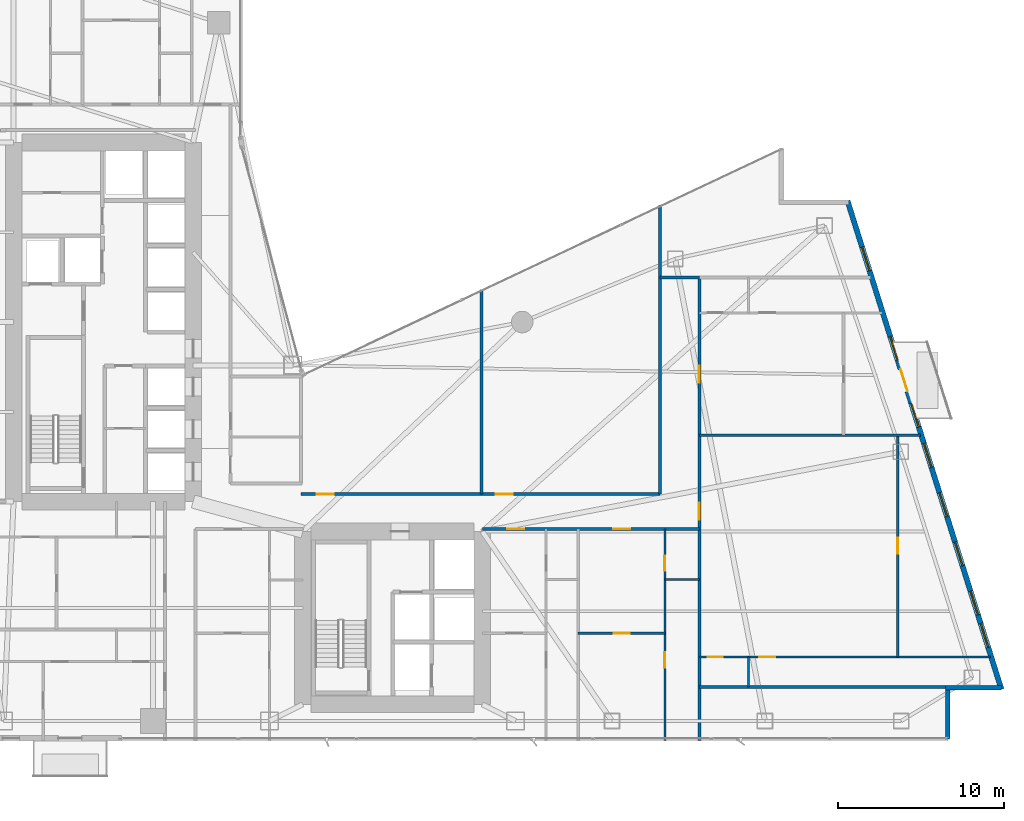
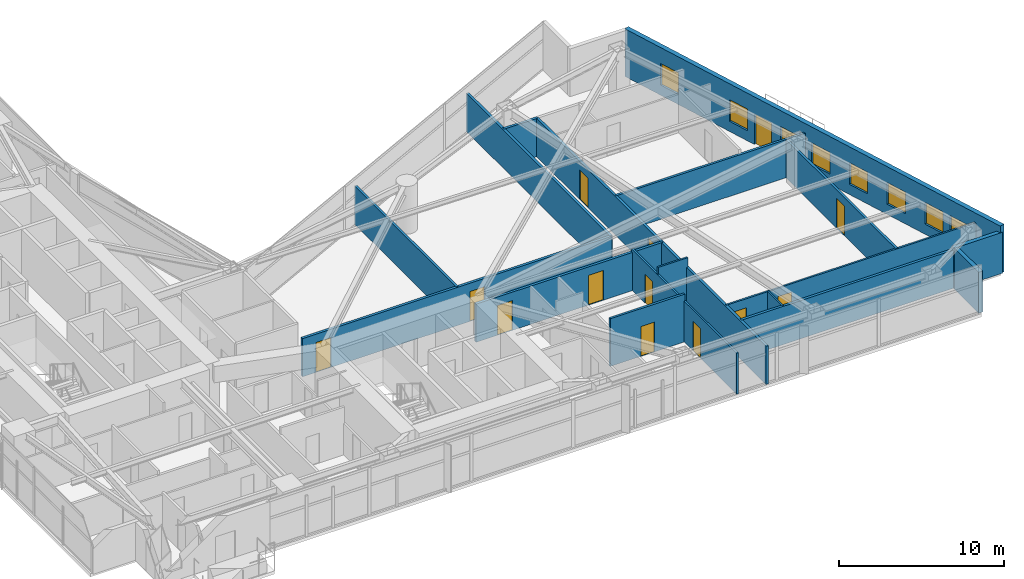
# One storey, part 23 of 28: 17 walls, 13 doors, 8 windows, 21 openings.
"""IFC4 building model written with IfcOpenShell, lengths in metres."""

from ifc_helpers import new_model, si_unit, direction, frame, frame_2d, origin, place, context, subcontext, project, spatial, rectangle, extrude, material, layer, layer_set, type_object, element, fill, save


model = new_model("IFC4")

# Units and contexts
model_context = context("Model", 3, precision=1e-05, world=origin(), true_north=direction((0.0, 1.0)))
body_context = subcontext(model_context, "Body", "Model", "MODEL_VIEW")
ifc_project = project(units=[si_unit("LENGTHUNIT", "METRE"), si_unit("AREAUNIT", "SQUARE_METRE"), si_unit("VOLUMEUNIT", "CUBIC_METRE"), si_unit("PLANEANGLEUNIT", "RADIAN"), si_unit("MASSUNIT", "GRAM", prefix="KILO")], contexts=[model_context])

# Site, building, storey
site_placement = place(None, origin())
site = spatial("IfcSite", under=ifc_project, at=site_placement, CompositionType="ELEMENT")
building_placement = place(site_placement, origin())
building = spatial("IfcBuilding", under=site, at=building_placement, Name="Calvorn Quay Hotel", CompositionType="ELEMENT")
storey_placement = place(building_placement, frame((0.0, 0.0, 88.800048828125)))
storey = spatial("IfcBuildingStorey", under=building, at=storey_placement, Name="L21", CompositionType="ELEMENT", Elevation=88.800048828125)

# Wall, openings, doors
ifc_material_1 = material(Name="Acoustic Fireboard Steel-Stud Partition", Category="steel")
ifc_layer_1 = layer(ifc_material_1, 0.179931640625)
ifc_layer_set_1 = layer_set([ifc_layer_1], Name="WL-CORR-FIRE-180")
wall_type_1 = type_object("IfcWallType", Name="WL-CORR-FIRE-180", PredefinedType="PARTITIONING", material=ifc_layer_set_1)
wall_1_placement = place(storey_placement, frame((32.39990234375, 15.14990234375, 0.0), z_axis=(0.0, 0.0, 1.0), x_axis=(1.0, 0.0, 0.0)))
wall_1 = element("IfcWall", 1, at=wall_1_placement, inside=storey, type_object=wall_type_1, Name="Partition Wall L21-WL-CORR-SE-S", PredefinedType="PARTITIONING", context=body_context, shape_type="SweptSolid", body=[
    extrude(rectangle(XDim=13.050048828125, YDim=0.179931640625, at=frame_2d((6.52490234375, 0.0))), origin(), (0.0, 0.0, 1.0), 2.820068359375),
])
opening_1_placement = place(wall_1_placement, frame((1.510009765625, 0.0, 0.0)))
opening_1 = element("IfcOpeningElement", 2, at=opening_1_placement, cuts=wall_1, Name="Opening D-L21-U06", PredefinedType="OPENING", context=body_context, shape_type="SweptSolid", body=[
    extrude(rectangle(XDim=1.02001953125, YDim=2.199951171875, at=frame_2d((0.510009765625, 1.10009765625))), frame((0.0, 0.099853515625, 0.0), z_axis=(0.0, -1.0, 0.0), x_axis=(1.0, 0.0, 0.0)), (0.0, 0.0, 1.0), 0.199951171875),
])
opening_2_placement = place(wall_1_placement, frame((7.8701171875, 0.0, 0.0)))
opening_2 = element("IfcOpeningElement", 3, at=opening_2_placement, cuts=wall_1, Name="Opening D-L21-U07", PredefinedType="OPENING", context=body_context, shape_type="SweptSolid", body=[
    extrude(rectangle(XDim=1.02001953125, YDim=2.199951171875, at=frame_2d((0.510009765625, 1.10009765625))), frame((0.0, 0.099853515625, 0.0), z_axis=(0.0, -1.0, 0.0), x_axis=(1.0, 0.0, 0.0)), (0.0, 0.0, 1.0), 0.199951171875),
])
ifc_material_2 = material(Name="Solid-Core Walnut Veneer Hotel Fire Door")
door_type_1 = type_object("IfcDoorType", Name="DR-GUEST-ENTRY-1020", OperationType="NOTDEFINED", PredefinedType="DOOR", material=ifc_material_2)
door_1_placement = place(opening_1_placement, origin())
door_1 = element("IfcDoor", 4, at=door_1_placement, inside=storey, type_object=door_type_1, Name="South-East Unit Door U06 (L21)", OperationType="SINGLE_SWING_LEFT", OverallHeight=2.199951171875, OverallWidth=1.02001953125, PredefinedType="DOOR", context=body_context, shape_type="SweptSolid", body=[
    extrude(rectangle(XDim=1.02001953125, YDim=2.199951171875, at=frame_2d((0.510009765625, 1.10009765625))), frame((0.0, 0.02490234375, 0.0), z_axis=(0.0, -1.0, 0.0), x_axis=(1.0, 0.0, 0.0)), (0.0, 0.0, 1.0), 0.050048828125),
])
fill(opening_1, door_1)
door_2_placement = place(opening_2_placement, origin())
door_2 = element("IfcDoor", 5, at=door_2_placement, inside=storey, type_object=door_type_1, Name="South-East Unit Door U07 (L21)", OperationType="SINGLE_SWING_RIGHT", OverallHeight=2.199951171875, OverallWidth=1.02001953125, PredefinedType="DOOR", context=body_context, shape_type="SweptSolid", body=[
    extrude(rectangle(XDim=1.02001953125, YDim=2.199951171875, at=frame_2d((0.510009765625, 1.10009765625))), frame((0.0, 0.02490234375, 0.0), z_axis=(0.0, -1.0, 0.0), x_axis=(1.0, 0.0, 0.0)), (0.0, 0.0, 1.0), 0.050048828125),
])
fill(opening_2, door_2)

wall_2_placement = place(storey_placement, frame((21.5, 17.25, 0.0), z_axis=(0.0, 0.0, 1.0), x_axis=(1.0, 0.0, 0.0)))
wall_2 = element("IfcWall", 6, at=wall_2_placement, inside=storey, type_object=wall_type_1, Name="Partition Wall L21-WL-CORR-NE-N", PredefinedType="PARTITIONING", context=body_context, shape_type="SweptSolid", body=[
    extrude(rectangle(XDim=21.60009765625, YDim=0.179931640625, at=frame_2d((10.800048828125, 0.0))), origin(), (0.0, 0.0, 1.0), 2.820068359375),
])
opening_3_placement = place(wall_2_placement, frame((0.949951171875, 0.0, 0.0)))
opening_3 = element("IfcOpeningElement", 7, at=opening_3_placement, cuts=wall_2, Name="Opening D-L21-NS1", PredefinedType="OPENING", context=body_context, shape_type="SweptSolid", body=[
    extrude(rectangle(XDim=1.02001953125, YDim=2.199951171875, at=frame_2d((0.510009765625, 1.10009765625))), frame((0.0, 0.099853515625, 0.0), z_axis=(0.0, -1.0, 0.0), x_axis=(1.0, 0.0, 0.0)), (0.0, 0.0, 1.0), 0.199951171875),
])
opening_4_placement = place(wall_2_placement, frame((11.699951171875, 0.0, 0.0)))
opening_4 = element("IfcOpeningElement", 8, at=opening_4_placement, cuts=wall_2, Name="Opening D-L21-NS2", PredefinedType="OPENING", context=body_context, shape_type="SweptSolid", body=[
    extrude(rectangle(XDim=1.02001953125, YDim=2.199951171875, at=frame_2d((0.510009765625, 1.10009765625))), frame((0.0, 0.099853515625, 0.0), z_axis=(0.0, -1.0, 0.0), x_axis=(1.0, 0.0, 0.0)), (0.0, 0.0, 1.0), 0.199951171875),
])
door_3_placement = place(opening_3_placement, origin())
door_3 = element("IfcDoor", 9, at=door_3_placement, inside=storey, type_object=door_type_1, Name="Conservatory Salon Door 1 (L21)", OperationType="SINGLE_SWING_RIGHT", OverallHeight=2.199951171875, OverallWidth=1.02001953125, PredefinedType="DOOR", context=body_context, shape_type="SweptSolid", body=[
    extrude(rectangle(XDim=1.02001953125, YDim=2.199951171875, at=frame_2d((0.510009765625, 1.10009765625))), frame((0.0, 0.02490234375, 0.0), z_axis=(0.0, -1.0, 0.0), x_axis=(1.0, 0.0, 0.0)), (0.0, 0.0, 1.0), 0.050048828125),
])
fill(opening_3, door_3)
door_4_placement = place(opening_4_placement, origin())
door_4 = element("IfcDoor", 10, at=door_4_placement, inside=storey, type_object=door_type_1, Name="Conservatory Salon Door 2 (L21)", OperationType="SINGLE_SWING_LEFT", OverallHeight=2.199951171875, OverallWidth=1.02001953125, PredefinedType="DOOR", context=body_context, shape_type="SweptSolid", body=[
    extrude(rectangle(XDim=1.02001953125, YDim=2.199951171875, at=frame_2d((0.510009765625, 1.10009765625))), frame((0.0, 0.02490234375, 0.0), z_axis=(0.0, -1.0, 0.0), x_axis=(1.0, 0.0, 0.0)), (0.0, 0.0, 1.0), 0.050048828125),
])
fill(opening_4, door_4)

# Walls
wall_3_placement = place(storey_placement, frame((43.10009765625, 17.25, 0.0), z_axis=(0.0, 0.0, 1.0), x_axis=(0.0, 1.0, 0.0)))
element("IfcWall", 11, at=wall_3_placement, inside=storey, type_object=wall_type_1, Name="Partition Wall L21-WL-NE-END-E", PredefinedType="PARTITIONING", context=body_context, shape_type="SweptSolid", body=[
    extrude(rectangle(XDim=17.3798828125, YDim=0.179931640625, at=frame_2d((8.68994140625, 0.0))), origin(), (0.0, 0.0, 1.0), 2.820068359375),
])
wall_4_placement = place(storey_placement, frame((45.449951171875, 5.659912109375, 0.0), z_axis=(0.0, 0.0, 1.0), x_axis=(1.0, 0.0, 0.0)))
element("IfcWall", 12, at=wall_4_placement, inside=storey, type_object=wall_type_1, Name="Partition Wall L21-WL-TIP-S", PredefinedType="PARTITIONING", context=body_context, shape_type="SweptSolid", body=[
    extrude(rectangle(XDim=14.949951171875, YDim=0.179931640625, at=frame_2d((7.47509765625, 0.0))), origin(), (0.0, 0.0, 1.0), 2.820068359375),
])

# Wall, openings, doors
wall_5_placement = place(storey_placement, frame((45.449951171875, 2.43994140625, 0.0), z_axis=(0.0, 0.0, 1.0), x_axis=(0.0, 1.0, 0.0)))
wall_5 = element("IfcWall", 13, at=wall_5_placement, inside=storey, type_object=wall_type_1, Name="Partition Wall L21-WL-CORR-TIP-E", PredefinedType="PARTITIONING", context=body_context, shape_type="SweptSolid", body=[
    extrude(rectangle(XDim=27.840087890625, YDim=0.179931640625, at=frame_2d((13.919921875, 0.0))), origin(), (0.0, 0.0, 1.0), 2.820068359375),
])
opening_5_placement = place(wall_5_placement, frame((13.260009765625, 0.0, 0.0)))
opening_5 = element("IfcOpeningElement", 14, at=opening_5_placement, cuts=wall_5, Name="Opening D-L21-U08", PredefinedType="OPENING", context=body_context, shape_type="SweptSolid", body=[
    extrude(rectangle(XDim=1.02001953125, YDim=2.199951171875, at=frame_2d((0.510009765625, 1.10009765625))), frame((0.0, 0.099853515625, 0.0), z_axis=(0.0, -1.0, 0.0), x_axis=(1.0, 0.0, 0.0)), (0.0, 0.0, 1.0), 0.199951171875),
])
opening_6_placement = place(wall_5_placement, frame((21.52001953125, 0.0, 0.0)))
opening_6 = element("IfcOpeningElement", 15, at=opening_6_placement, cuts=wall_5, Name="Opening D-L21-U09", PredefinedType="OPENING", context=body_context, shape_type="SweptSolid", body=[
    extrude(rectangle(XDim=1.02001953125, YDim=2.199951171875, at=frame_2d((0.510009765625, 1.10009765625))), frame((0.0, 0.099853515625, 0.0), z_axis=(0.0, -1.0, 0.0), x_axis=(1.0, 0.0, 0.0)), (0.0, 0.0, 1.0), 0.199951171875),
])
door_5_placement = place(opening_5_placement, origin())
door_5 = element("IfcDoor", 16, at=door_5_placement, inside=storey, type_object=door_type_1, Name="Terrace Suite Door U08 (L21)", OperationType="SINGLE_SWING_LEFT", OverallHeight=2.199951171875, OverallWidth=1.02001953125, PredefinedType="DOOR", context=body_context, shape_type="SweptSolid", body=[
    extrude(rectangle(XDim=1.02001953125, YDim=2.199951171875, at=frame_2d((0.510009765625, 1.10009765625))), frame((0.0, 0.02490234375, 0.0), z_axis=(0.0, -1.0, 0.0), x_axis=(1.0, 0.0, 0.0)), (0.0, 0.0, 1.0), 0.050048828125),
])
fill(opening_5, door_5)
door_6_placement = place(opening_6_placement, origin())
door_6 = element("IfcDoor", 17, at=door_6_placement, inside=storey, type_object=door_type_1, Name="Horizon Suite Door U09 (L21)", OperationType="SINGLE_SWING_RIGHT", OverallHeight=2.199951171875, OverallWidth=1.02001953125, PredefinedType="DOOR", context=body_context, shape_type="SweptSolid", body=[
    extrude(rectangle(XDim=1.02001953125, YDim=2.199951171875, at=frame_2d((0.510009765625, 1.10009765625))), frame((0.0, 0.02490234375, 0.0), z_axis=(0.0, -1.0, 0.0), x_axis=(1.0, 0.0, 0.0)), (0.0, 0.0, 1.0), 0.050048828125),
])
fill(opening_6, door_6)

# Walls
wall_6_placement = place(storey_placement, frame((43.10009765625, 30.280029296875, 0.0), z_axis=(0.0, 0.0, 1.0), x_axis=(1.0, 0.0, 0.0)))
element("IfcWall", 18, at=wall_6_placement, inside=storey, type_object=wall_type_1, Name="Partition Wall L21-WL-CORR-TIP-NN", PredefinedType="PARTITIONING", context=body_context, shape_type="SweptSolid", body=[
    extrude(rectangle(XDim=2.349853515625, YDim=0.179931640625, at=frame_2d((1.1748046875, 0.0))), origin(), (0.0, 0.0, 1.0), 2.820068359375),
])
ifc_material_3 = material(Name="Moisture-Resistant Tile-Backed Partition")
ifc_layer_2 = layer(ifc_material_3, 0.125)
ifc_layer_set_2 = layer_set([ifc_layer_2], Name="WL-ENSUITE-125")
wall_type_2 = type_object("IfcWallType", Name="WL-ENSUITE-125", PredefinedType="PARTITIONING", material=ifc_layer_set_2)
wall_7_placement = place(storey_placement, frame((43.3798828125, 12.10009765625, 0.0), z_axis=(0.0, 0.0, 1.0), x_axis=(1.0, 0.0, 0.0)))
element("IfcWall", 19, at=wall_7_placement, inside=storey, type_object=wall_type_2, Name="Partition Wall L21-WL-U07-BDV", PredefinedType="PARTITIONING", context=body_context, shape_type="SweptSolid", body=[
    extrude(rectangle(XDim=2.070068359375, YDim=0.125, at=frame_2d((1.03515625, 0.0))), origin(), (0.0, 0.0, 1.0), 3.52001953125),
])

# Wall, openings, doors
wall_8_placement = place(storey_placement, frame((43.3798828125, 2.43994140625, 0.0), z_axis=(0.0, 0.0, 1.0), x_axis=(0.0, 1.0, 0.0)))
wall_8 = element("IfcWall", 20, at=wall_8_placement, inside=storey, type_object=wall_type_2, Name="Partition Wall L21-WL-U07-BV", PredefinedType="PARTITIONING", context=body_context, shape_type="SweptSolid", body=[
    extrude(rectangle(XDim=12.7099609375, YDim=0.125, at=frame_2d((6.35498046875, 0.0))), origin(), (0.0, 0.0, 1.0), 3.02001953125),
])
opening_7_placement = place(wall_8_placement, frame((4.35009765625, 0.0, 0.0)))
opening_7 = element("IfcOpeningElement", 21, at=opening_7_placement, cuts=wall_8, Name="Opening D-L21-S07", PredefinedType="OPENING", context=body_context, shape_type="SweptSolid", body=[
    extrude(rectangle(XDim=0.9599609375, YDim=2.199951171875, at=frame_2d((0.47998046875, 1.10009765625))), frame((0.0, 0.072509765625, 0.0), z_axis=(0.0, -1.0, 0.0), x_axis=(1.0, 0.0, 0.0)), (0.0, 0.0, 1.0), 0.14501953125),
])
opening_8_placement = place(wall_8_placement, frame((10.2099609375, 0.0, 0.0)))
opening_8 = element("IfcOpeningElement", 22, at=opening_8_placement, cuts=wall_8, Name="Opening D-L21-E07", PredefinedType="OPENING", context=body_context, shape_type="SweptSolid", body=[
    extrude(rectangle(XDim=0.89990234375, YDim=2.14990234375, at=frame_2d((0.449951171875, 1.074951171875))), frame((0.0, 0.072509765625, 0.0), z_axis=(0.0, -1.0, 0.0), x_axis=(1.0, 0.0, 0.0)), (0.0, 0.0, 1.0), 0.14501953125),
])
ifc_material_4 = material(Name="Moisture-Sealed Timber En-Suite Door", Category="wood")
door_type_2 = type_object("IfcDoorType", Name="DR-ENSUITE-900", OperationType="NOTDEFINED", PredefinedType="DOOR", material=ifc_material_4)
door_7_placement = place(opening_8_placement, origin())
door_7 = element("IfcDoor", 23, at=door_7_placement, inside=storey, type_object=door_type_2, Name="En-Suite Door 07", OperationType="SINGLE_SWING_RIGHT", OverallHeight=2.14990234375, OverallWidth=0.89990234375, PredefinedType="DOOR", context=body_context, shape_type="SweptSolid", body=[
    extrude(rectangle(XDim=0.89990234375, YDim=2.14990234375, at=frame_2d((0.449951171875, 1.074951171875))), frame((0.0, 0.02490234375, 0.0), z_axis=(0.0, -1.0, 0.0), x_axis=(1.0, 0.0, 0.0)), (0.0, 0.0, 1.0), 0.050048828125),
])
fill(opening_8, door_7)
ifc_material_5 = material(Name="Solid Timber Internal Suite Door", Category="wood")
door_type_3 = type_object("IfcDoorType", Name="DR-SUITE-INT-960", OperationType="NOTDEFINED", PredefinedType="DOOR", material=ifc_material_5)
door_8_placement = place(opening_7_placement, origin())
door_8 = element("IfcDoor", 24, at=door_8_placement, inside=storey, type_object=door_type_3, Name="Curated Resort Boutique Door 07", OperationType="SINGLE_SWING_LEFT", OverallHeight=2.199951171875, OverallWidth=0.9599609375, PredefinedType="DOOR", context=body_context, shape_type="SweptSolid", body=[
    extrude(rectangle(XDim=0.9599609375, YDim=2.199951171875, at=frame_2d((0.47998046875, 1.10009765625))), frame((0.0, 0.02490234375, 0.0), z_axis=(0.0, -1.0, 0.0), x_axis=(1.0, 0.0, 0.0)), (0.0, 0.0, 1.0), 0.050048828125),
])
fill(opening_7, door_8)

# Wall
wall_9_placement = place(storey_placement, frame((48.39990234375, 5.659912109375, 0.0), z_axis=(0.0, 0.0, 1.0), x_axis=(0.0, 1.0, 0.0)))
element("IfcWall", 25, at=wall_9_placement, inside=storey, type_object=wall_type_2, Name="Partition Wall L21-WL-U08-BDV", PredefinedType="PARTITIONING", context=body_context, shape_type="SweptSolid", body=[
    extrude(rectangle(XDim=1.7900390625, YDim=0.125, at=frame_2d((0.89501953125, 0.0))), origin(), (0.0, 0.0, 1.0), 2.820068359375),
])

# Wall, openings, doors
wall_10_placement = place(storey_placement, frame((45.449951171875, 7.449951171875, 0.0), z_axis=(0.0, 0.0, 1.0), x_axis=(1.0, 0.0, 0.0)))
wall_10 = element("IfcWall", 26, at=wall_10_placement, inside=storey, type_object=wall_type_2, Name="Partition Wall L21-WL-U08-BH", PredefinedType="PARTITIONING", context=body_context, shape_type="SweptSolid", body=[
    extrude(rectangle(XDim=17.510009765625, YDim=0.125, at=frame_2d((8.7548828125, 0.0))), origin(), (0.0, 0.0, 1.0), 2.820068359375),
])
opening_9_placement = place(wall_10_placement, frame((0.5, 0.0, 0.0)))
opening_9 = element("IfcOpeningElement", 27, at=opening_9_placement, cuts=wall_10, Name="Opening D-L21-E08", PredefinedType="OPENING", context=body_context, shape_type="SweptSolid", body=[
    extrude(rectangle(XDim=0.89990234375, YDim=2.14990234375, at=frame_2d((0.449951171875, 1.074951171875))), frame((0.0, 0.072509765625, 0.0), z_axis=(0.0, -1.0, 0.0), x_axis=(1.0, 0.0, 0.0)), (0.0, 0.0, 1.0), 0.14501953125),
])
opening_10_placement = place(wall_10_placement, frame((3.60009765625, 0.0, 0.0)))
opening_10 = element("IfcOpeningElement", 28, at=opening_10_placement, cuts=wall_10, Name="Opening D-L21-S08", PredefinedType="OPENING", context=body_context, shape_type="SweptSolid", body=[
    extrude(rectangle(XDim=0.9599609375, YDim=2.199951171875, at=frame_2d((0.47998046875, 1.10009765625))), frame((0.0, 0.072509765625, 0.0), z_axis=(0.0, -1.0, 0.0), x_axis=(1.0, 0.0, 0.0)), (0.0, 0.0, 1.0), 0.14501953125),
])
door_9_placement = place(opening_9_placement, origin())
door_9 = element("IfcDoor", 29, at=door_9_placement, inside=storey, type_object=door_type_2, Name="En-Suite Door 08", OperationType="SINGLE_SWING_LEFT", OverallHeight=2.14990234375, OverallWidth=0.89990234375, PredefinedType="DOOR", context=body_context, shape_type="SweptSolid", body=[
    extrude(rectangle(XDim=0.89990234375, YDim=2.14990234375, at=frame_2d((0.449951171875, 1.074951171875))), frame((0.0, 0.02490234375, 0.0), z_axis=(0.0, -1.0, 0.0), x_axis=(1.0, 0.0, 0.0)), (0.0, 0.0, 1.0), 0.050048828125),
])
fill(opening_9, door_9)
door_10_placement = place(opening_10_placement, origin())
door_10 = element("IfcDoor", 30, at=door_10_placement, inside=storey, type_object=door_type_3, Name="Curated Resort Boutique Door 08", OperationType="SINGLE_SWING_RIGHT", OverallHeight=2.199951171875, OverallWidth=0.9599609375, PredefinedType="DOOR", context=body_context, shape_type="SweptSolid", body=[
    extrude(rectangle(XDim=0.9599609375, YDim=2.199951171875, at=frame_2d((0.47998046875, 1.10009765625))), frame((0.0, 0.02490234375, 0.0), z_axis=(0.0, -1.0, 0.0), x_axis=(1.0, 0.0, 0.0)), (0.0, 0.0, 1.0), 0.050048828125),
])
fill(opening_10, door_10)

# Walls
ifc_material_6 = material(Name="Concrete C40", Category="concrete")
ifc_layer_3 = layer(ifc_material_6, 0.320068359375)
ifc_layer_set_3 = layer_set([ifc_layer_3], Name="WL-EXT-SPANDREL-320")
wall_type_3 = type_object("IfcWallType", Name="WL-EXT-SPANDREL-320", PredefinedType="SOLIDWALL", material=ifc_layer_set_3)
wall_11_placement = place(storey_placement, frame((60.39990234375, 2.52001953125, 0.0), z_axis=(0.0, 0.0, 1.0), x_axis=(0.0, 1.0, 0.0)))
element("IfcWall", 31, at=wall_11_placement, inside=storey, type_object=wall_type_3, Name="Notched Corner Spandrel L21-SE1", PredefinedType="SOLIDWALL", context=body_context, shape_type="SweptSolid", body=[
    extrude(rectangle(XDim=2.93994140625, YDim=0.280029296875, at=frame_2d((1.469970703125, 0.0))), origin(), (0.0, 0.0, 1.0), 3.02001953125),
])
wall_12_placement = place(storey_placement, frame((60.260009765625, 5.60009765625, 0.0), z_axis=(0.0, 0.0, 1.0), x_axis=(1.0, 0.0, 0.0)))
element("IfcWall", 32, at=wall_12_placement, inside=storey, type_object=wall_type_3, Name="Notched Corner Spandrel L21-SE2", PredefinedType="SOLIDWALL", context=body_context, shape_type="SweptSolid", body=[
    extrude(rectangle(XDim=3.3798828125, YDim=0.280029296875, at=frame_2d((1.68994140625, 0.0))), origin(), (0.0, 0.0, 1.0), 3.02001953125),
])

# Wall, openings, door, windows
wall_13_placement = place(storey_placement, frame((63.6298828125, 5.5048828125, 0.0), z_axis=(0.0, 0.0, 1.0), x_axis=(-0.300501856448, 0.953781229775, 0.0)))
wall_13 = element("IfcWall", 33, at=wall_13_placement, inside=storey, type_object=wall_type_3, Name="East Stepped Waterfront Exterior Wall (L21)", PredefinedType="SOLIDWALL", context=body_context, shape_type="SweptSolid", body=[
    extrude(rectangle(XDim=30.814453125, YDim=0.320068359375, at=frame_2d((15.4072265625, 0.0))), origin(), (0.0, 0.0, 1.0), 3.52001953125),
])
opening_11_placement = place(wall_13_placement, frame((18.7958984375, 0.0, 0.0)))
opening_11 = element("IfcOpeningElement", 34, at=opening_11_placement, cuts=wall_13, Name="Opening DB-L21-1", PredefinedType="OPENING", context=body_context, shape_type="SweptSolid", body=[
    extrude(rectangle(XDim=1.39990234375, YDim=2.25, at=frame_2d((0.699951171875, 1.125))), frame((0.0, 0.169921875, 0.0), z_axis=(0.0, -1.0, 0.0), x_axis=(1.0, 0.0, 0.0)), (0.0, 0.0, 1.0), 0.340087890625),
])
opening_12_placement = place(wall_13_placement, frame((2.64990234375, 0.0, 0.75)))
opening_12 = element("IfcOpeningElement", 35, at=opening_12_placement, cuts=wall_13, Name="Opening WG-L21-E1", PredefinedType="OPENING", context=body_context, shape_type="SweptSolid", body=[
    extrude(rectangle(XDim=1.5, YDim=1.60009765625, at=frame_2d((0.75, 0.800048828125))), frame((0.0, 0.169921875, 0.0), z_axis=(0.0, -1.0, 0.0), x_axis=(1.0, 0.0, 0.0)), (0.0, 0.0, 1.0), 0.340087890625),
])
opening_13_placement = place(wall_13_placement, frame((4.699951171875, 0.0, 0.75)))
opening_13 = element("IfcOpeningElement", 36, at=opening_13_placement, cuts=wall_13, Name="Opening WG-L21-E2", PredefinedType="OPENING", context=body_context, shape_type="SweptSolid", body=[
    extrude(rectangle(XDim=1.5, YDim=1.60009765625, at=frame_2d((0.75, 0.800048828125))), frame((0.0, 0.169921875, 0.0), z_axis=(0.0, -1.0, 0.0), x_axis=(1.0, 0.0, 0.0)), (0.0, 0.0, 1.0), 0.340087890625),
])
opening_14_placement = place(wall_13_placement, frame((7.800048828125, 0.0, 0.75)))
opening_14 = element("IfcOpeningElement", 37, at=opening_14_placement, cuts=wall_13, Name="Opening WG-L21-E3", PredefinedType="OPENING", context=body_context, shape_type="SweptSolid", body=[
    extrude(rectangle(XDim=1.5, YDim=1.60009765625, at=frame_2d((0.75, 0.800048828125))), frame((0.0, 0.169921875, 0.0), z_axis=(0.0, -1.0, 0.0), x_axis=(1.0, 0.0, 0.0)), (0.0, 0.0, 1.0), 0.340087890625),
])
opening_15_placement = place(wall_13_placement, frame((10.89990234375, 0.0, 0.75)))
opening_15 = element("IfcOpeningElement", 38, at=opening_15_placement, cuts=wall_13, Name="Opening WG-L21-E4", PredefinedType="OPENING", context=body_context, shape_type="SweptSolid", body=[
    extrude(rectangle(XDim=1.5, YDim=1.60009765625, at=frame_2d((0.75, 0.800048828125))), frame((0.0, 0.169921875, 0.0), z_axis=(0.0, -1.0, 0.0), x_axis=(1.0, 0.0, 0.0)), (0.0, 0.0, 1.0), 0.340087890625),
])
opening_16_placement = place(wall_13_placement, frame((14.0, 0.0, 0.75)))
opening_16 = element("IfcOpeningElement", 39, at=opening_16_placement, cuts=wall_13, Name="Opening WG-L21-E5", PredefinedType="OPENING", context=body_context, shape_type="SweptSolid", body=[
    extrude(rectangle(XDim=1.5, YDim=1.60009765625, at=frame_2d((0.75, 0.800048828125))), frame((0.0, 0.169921875, 0.0), z_axis=(0.0, -1.0, 0.0), x_axis=(1.0, 0.0, 0.0)), (0.0, 0.0, 1.0), 0.340087890625),
])
opening_17_placement = place(wall_13_placement, frame((16.550048828125, 0.0, 0.75)))
opening_17 = element("IfcOpeningElement", 40, at=opening_17_placement, cuts=wall_13, Name="Opening WG-L21-E6", PredefinedType="OPENING", context=body_context, shape_type="SweptSolid", body=[
    extrude(rectangle(XDim=1.5, YDim=1.60009765625, at=frame_2d((0.75, 0.800048828125))), frame((0.0, 0.169921875, 0.0), z_axis=(0.0, -1.0, 0.0), x_axis=(1.0, 0.0, 0.0)), (0.0, 0.0, 1.0), 0.340087890625),
])
opening_18_placement = place(wall_13_placement, frame((20.75, 0.0, 0.75)))
opening_18 = element("IfcOpeningElement", 41, at=opening_18_placement, cuts=wall_13, Name="Opening WG-L21-E7", PredefinedType="OPENING", context=body_context, shape_type="SweptSolid", body=[
    extrude(rectangle(XDim=1.5, YDim=1.60009765625, at=frame_2d((0.75, 0.800048828125))), frame((0.0, 0.169921875, 0.0), z_axis=(0.0, -1.0, 0.0), x_axis=(1.0, 0.0, 0.0)), (0.0, 0.0, 1.0), 0.340087890625),
])
opening_19_placement = place(wall_13_placement, frame((26.39990234375, 0.0, 0.75)))
opening_19 = element("IfcOpeningElement", 42, at=opening_19_placement, cuts=wall_13, Name="Opening WG-L21-E8", PredefinedType="OPENING", context=body_context, shape_type="SweptSolid", body=[
    extrude(rectangle(XDim=1.5, YDim=1.60009765625, at=frame_2d((0.75, 0.800048828125))), frame((0.0, 0.169921875, 0.0), z_axis=(0.0, -1.0, 0.0), x_axis=(1.0, 0.0, 0.0)), (0.0, 0.0, 1.0), 0.340087890625),
])
ifc_material_7 = material(Name="Typhoon-Rated Low-E Aluminium Terrace Door", Category="aluminium")
door_type_4 = type_object("IfcDoorType", Name="DR-BALCONY-GLZ-1400", OperationType="NOTDEFINED", PredefinedType="DOOR", material=ifc_material_7)
door_11_placement = place(opening_11_placement, origin())
door_11 = element("IfcDoor", 43, at=door_11_placement, inside=storey, type_object=door_type_4, Name="Tree Balcony Terrace Door L21-BALC-E", OperationType="SINGLE_SWING_LEFT", OverallHeight=2.25, OverallWidth=1.39990234375, PredefinedType="DOOR", context=body_context, shape_type="SweptSolid", body=[
    extrude(rectangle(XDim=1.39990234375, YDim=2.25, at=frame_2d((0.699951171875, 1.125))), frame((0.0, 0.02490234375, 0.0), z_axis=(0.0, -1.0, 0.0), x_axis=(1.0, 0.0, 0.0)), (0.0, 0.0, 1.0), 0.050048828125),
])
fill(opening_11, door_11)
ifc_material_8 = material(Name="Self-Closing Class B Fire Window")
window_type = type_object("IfcWindowType", Name="WIN-REFUGE-1500x1600", PartitioningType="SINGLE_PANEL", PredefinedType="WINDOW", material=ifc_material_8)
window_1_placement = place(opening_12_placement, origin())
window_1 = element("IfcWindow", 44, at=window_1_placement, inside=storey, type_object=window_type, Name="East Facade Window L21-E1", OverallHeight=1.60009765625, OverallWidth=1.5, PartitioningType="SINGLE_PANEL", PredefinedType="WINDOW", context=body_context, shape_type="SweptSolid", body=[
    extrude(rectangle(XDim=1.5, YDim=1.60009765625, at=frame_2d((0.75, 0.800048828125))), frame((0.0, 0.030029296875, 0.0), z_axis=(0.0, -1.0, 0.0), x_axis=(1.0, 0.0, 0.0)), (0.0, 0.0, 1.0), 0.06005859375),
])
fill(opening_12, window_1)
window_2_placement = place(opening_13_placement, origin())
window_2 = element("IfcWindow", 45, at=window_2_placement, inside=storey, type_object=window_type, Name="East Facade Window L21-E2", OverallHeight=1.60009765625, OverallWidth=1.5, PartitioningType="SINGLE_PANEL", PredefinedType="WINDOW", context=body_context, shape_type="SweptSolid", body=[
    extrude(rectangle(XDim=1.5, YDim=1.60009765625, at=frame_2d((0.75, 0.800048828125))), frame((0.0, 0.030029296875, 0.0), z_axis=(0.0, -1.0, 0.0), x_axis=(1.0, 0.0, 0.0)), (0.0, 0.0, 1.0), 0.06005859375),
])
fill(opening_13, window_2)
window_3_placement = place(opening_14_placement, origin())
window_3 = element("IfcWindow", 46, at=window_3_placement, inside=storey, type_object=window_type, Name="East Facade Window L21-E3", OverallHeight=1.60009765625, OverallWidth=1.5, PartitioningType="SINGLE_PANEL", PredefinedType="WINDOW", context=body_context, shape_type="SweptSolid", body=[
    extrude(rectangle(XDim=1.5, YDim=1.60009765625, at=frame_2d((0.75, 0.800048828125))), frame((0.0, 0.030029296875, 0.0), z_axis=(0.0, -1.0, 0.0), x_axis=(1.0, 0.0, 0.0)), (0.0, 0.0, 1.0), 0.06005859375),
])
fill(opening_14, window_3)
window_4_placement = place(opening_15_placement, origin())
window_4 = element("IfcWindow", 47, at=window_4_placement, inside=storey, type_object=window_type, Name="East Facade Window L21-E4", OverallHeight=1.60009765625, OverallWidth=1.5, PartitioningType="SINGLE_PANEL", PredefinedType="WINDOW", context=body_context, shape_type="SweptSolid", body=[
    extrude(rectangle(XDim=1.5, YDim=1.60009765625, at=frame_2d((0.75, 0.800048828125))), frame((0.0, 0.030029296875, 0.0), z_axis=(0.0, -1.0, 0.0), x_axis=(1.0, 0.0, 0.0)), (0.0, 0.0, 1.0), 0.06005859375),
])
fill(opening_15, window_4)
window_5_placement = place(opening_16_placement, origin())
window_5 = element("IfcWindow", 48, at=window_5_placement, inside=storey, type_object=window_type, Name="East Facade Window L21-E5", OverallHeight=1.60009765625, OverallWidth=1.5, PartitioningType="SINGLE_PANEL", PredefinedType="WINDOW", context=body_context, shape_type="SweptSolid", body=[
    extrude(rectangle(XDim=1.5, YDim=1.60009765625, at=frame_2d((0.75, 0.800048828125))), frame((0.0, 0.030029296875, 0.0), z_axis=(0.0, -1.0, 0.0), x_axis=(1.0, 0.0, 0.0)), (0.0, 0.0, 1.0), 0.06005859375),
])
fill(opening_16, window_5)
window_6_placement = place(opening_17_placement, origin())
window_6 = element("IfcWindow", 49, at=window_6_placement, inside=storey, type_object=window_type, Name="East Facade Window L21-E6", OverallHeight=1.60009765625, OverallWidth=1.5, PartitioningType="SINGLE_PANEL", PredefinedType="WINDOW", context=body_context, shape_type="SweptSolid", body=[
    extrude(rectangle(XDim=1.5, YDim=1.60009765625, at=frame_2d((0.75, 0.800048828125))), frame((0.0, 0.030029296875, 0.0), z_axis=(0.0, -1.0, 0.0), x_axis=(1.0, 0.0, 0.0)), (0.0, 0.0, 1.0), 0.06005859375),
])
fill(opening_17, window_6)
window_7_placement = place(opening_18_placement, origin())
window_7 = element("IfcWindow", 50, at=window_7_placement, inside=storey, type_object=window_type, Name="East Facade Window L21-E7", OverallHeight=1.60009765625, OverallWidth=1.5, PartitioningType="SINGLE_PANEL", PredefinedType="WINDOW", context=body_context, shape_type="SweptSolid", body=[
    extrude(rectangle(XDim=1.5, YDim=1.60009765625, at=frame_2d((0.75, 0.800048828125))), frame((0.0, 0.030029296875, 0.0), z_axis=(0.0, -1.0, 0.0), x_axis=(1.0, 0.0, 0.0)), (0.0, 0.0, 1.0), 0.06005859375),
])
fill(opening_18, window_7)
window_8_placement = place(opening_19_placement, origin())
window_8 = element("IfcWindow", 51, at=window_8_placement, inside=storey, type_object=window_type, Name="East Facade Window L21-E8", OverallHeight=1.60009765625, OverallWidth=1.5, PartitioningType="SINGLE_PANEL", PredefinedType="WINDOW", context=body_context, shape_type="SweptSolid", body=[
    extrude(rectangle(XDim=1.5, YDim=1.60009765625, at=frame_2d((0.75, 0.800048828125))), frame((0.0, 0.030029296875, 0.0), z_axis=(0.0, -1.0, 0.0), x_axis=(1.0, 0.0, 0.0)), (0.0, 0.0, 1.0), 0.06005859375),
])
fill(opening_19, window_8)

# Wall, opening, door
ifc_material_9 = material(Name="Double-Stud Acoustic Gypsum Partition")
ifc_layer_4 = layer(ifc_material_9, 0.159912109375)
ifc_layer_set_4 = layer_set([ifc_layer_4], Name="WL-INTERSUITE-160")
wall_type_4 = type_object("IfcWallType", Name="WL-INTERSUITE-160", PredefinedType="PARTITIONING", material=ifc_layer_set_4)
wall_14_placement = place(storey_placement, frame((38.169921875, 8.8798828125, 0.0), z_axis=(0.0, 0.0, 1.0), x_axis=(1.0, 0.0, 0.0)))
wall_14 = element("IfcWall", 52, at=wall_14_placement, inside=storey, type_object=wall_type_4, Name="Partition Wall L21-WL-U07-MSP", PredefinedType="PARTITIONING", context=body_context, shape_type="SweptSolid", body=[
    extrude(rectangle(XDim=5.2099609375, YDim=0.159912109375, at=frame_2d((2.60498046875, 0.0))), origin(), (0.0, 0.0, 1.0), 3.52001953125),
])
opening_20_placement = place(wall_14_placement, frame((2.1298828125, 0.0, 0.0)))
opening_20 = element("IfcOpeningElement", 53, at=opening_20_placement, cuts=wall_14, Name="Opening D-L21-M07", PredefinedType="OPENING", context=body_context, shape_type="SweptSolid", body=[
    extrude(rectangle(XDim=0.9599609375, YDim=2.199951171875, at=frame_2d((0.47998046875, 1.10009765625))), frame((0.0, 0.08984375, 0.0), z_axis=(0.0, -1.0, 0.0), x_axis=(1.0, 0.0, 0.0)), (0.0, 0.0, 1.0), 0.179931640625),
])
door_12_placement = place(opening_20_placement, origin())
door_12 = element("IfcDoor", 54, at=door_12_placement, inside=storey, type_object=door_type_3, Name="Suite Bedroom Door 07", OperationType="SINGLE_SWING_LEFT", OverallHeight=2.199951171875, OverallWidth=0.9599609375, PredefinedType="DOOR", context=body_context, shape_type="SweptSolid", body=[
    extrude(rectangle(XDim=0.9599609375, YDim=2.199951171875, at=frame_2d((0.47998046875, 1.10009765625))), frame((0.0, 0.02490234375, 0.0), z_axis=(0.0, -1.0, 0.0), x_axis=(1.0, 0.0, 0.0)), (0.0, 0.0, 1.0), 0.050048828125),
])
fill(opening_20, door_12)

# Wall
wall_15_placement = place(storey_placement, frame((32.35009765625, 17.25, 0.0), z_axis=(0.0, 0.0, 1.0), x_axis=(0.0, 1.0, 0.0)))
element("IfcWall", 55, at=wall_15_placement, inside=storey, type_object=wall_type_4, Name="Partition Wall L21-WL-NE-DIV-1", PredefinedType="PARTITIONING", context=body_context, shape_type="SweptSolid", body=[
    extrude(rectangle(XDim=12.31005859375, YDim=0.159912109375, at=frame_2d((6.155029296875, 0.0))), origin(), (0.0, 0.0, 1.0), 2.820068359375),
])

# Wall, opening, door
wall_16_placement = place(storey_placement, frame((57.389892578125, 7.449951171875, 0.0), z_axis=(0.0, 0.0, 1.0), x_axis=(0.0, 1.0, 0.0)))
wall_16 = element("IfcWall", 56, at=wall_16_placement, inside=storey, type_object=wall_type_4, Name="Partition Wall L21-WL-U08-MSP", PredefinedType="PARTITIONING", context=body_context, shape_type="SweptSolid", body=[
    extrude(rectangle(XDim=13.35009765625, YDim=0.159912109375, at=frame_2d((6.675048828125, 0.0))), origin(), (0.0, 0.0, 1.0), 2.820068359375),
])
opening_21_placement = place(wall_16_placement, frame((6.199951171875, 0.0, 0.0)))
opening_21 = element("IfcOpeningElement", 57, at=opening_21_placement, cuts=wall_16, Name="Opening D-L21-M08", PredefinedType="OPENING", context=body_context, shape_type="SweptSolid", body=[
    extrude(rectangle(XDim=0.9599609375, YDim=2.199951171875, at=frame_2d((0.47998046875, 1.10009765625))), frame((0.0, 0.08984375, 0.0), z_axis=(0.0, -1.0, 0.0), x_axis=(1.0, 0.0, 0.0)), (0.0, 0.0, 1.0), 0.179931640625),
])
door_13_placement = place(opening_21_placement, origin())
door_13 = element("IfcDoor", 58, at=door_13_placement, inside=storey, type_object=door_type_3, Name="Suite Bedroom Door 08", OperationType="SINGLE_SWING_LEFT", OverallHeight=2.199951171875, OverallWidth=0.9599609375, PredefinedType="DOOR", context=body_context, shape_type="SweptSolid", body=[
    extrude(rectangle(XDim=0.9599609375, YDim=2.199951171875, at=frame_2d((0.47998046875, 1.10009765625))), frame((0.0, 0.02490234375, 0.0), z_axis=(0.0, -1.0, 0.0), x_axis=(1.0, 0.0, 0.0)), (0.0, 0.0, 1.0), 0.050048828125),
])
fill(opening_21, door_13)

# Wall
wall_17_placement = place(storey_placement, frame((45.449951171875, 20.800048828125, 0.0), z_axis=(0.0, 0.0, 1.0), x_axis=(1.0, 0.0, 0.0)))
element("IfcWall", 59, at=wall_17_placement, inside=storey, type_object=wall_type_4, Name="Partition Wall L21-WL-TIP-DIV", PredefinedType="PARTITIONING", context=body_context, shape_type="SweptSolid", body=[
    extrude(rectangle(XDim=13.300048828125, YDim=0.159912109375, at=frame_2d((6.64990234375, 0.0))), origin(), (0.0, 0.0, 1.0), 2.820068359375),
])

save(model, "model.ifc")
